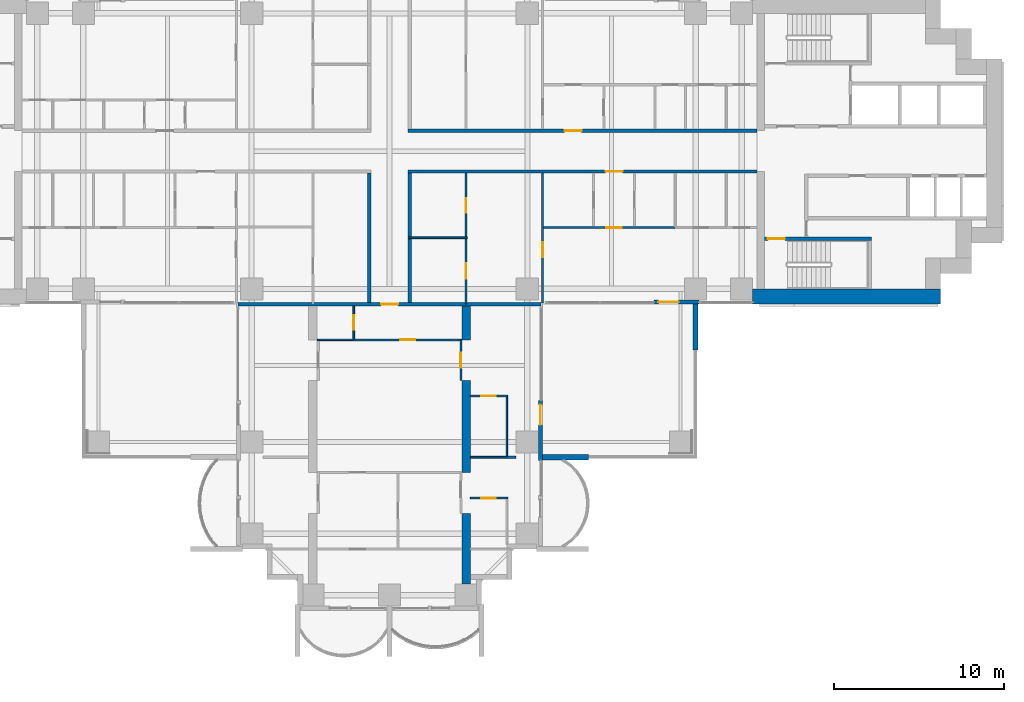
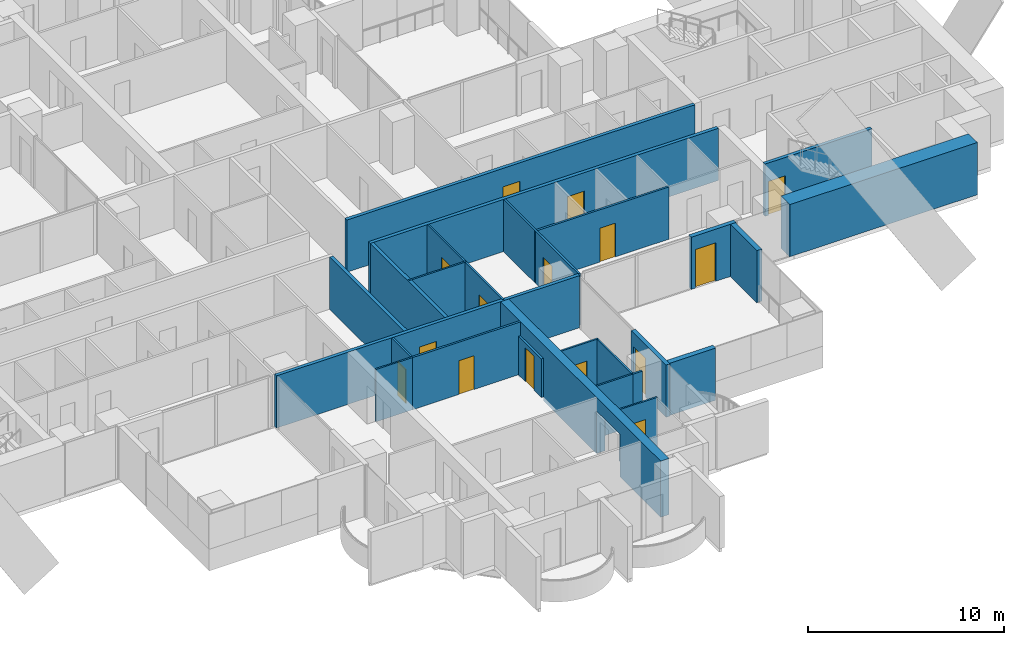
# One storey, part 13 of 22: 26 walls, 15 doors, 15 openings.
"""IFC4 building model written with IfcOpenShell, lengths in metres."""

from ifc_helpers import new_model, si_unit, direction, frame, frame_2d, origin, place, context, subcontext, project, spatial, polyline, rectangle, outline, extrude, material, layer, layer_set, material_profile, profile_set, type_object, element, fill, save


model = new_model("IFC4")

# Units and contexts
model_context = context("Model", 3, precision=1e-05, world=origin(), true_north=direction((0.0, 1.0)))
body_context = subcontext(model_context, "Body", "Model", "MODEL_VIEW")
ifc_project = project(units=[si_unit("LENGTHUNIT", "METRE"), si_unit("AREAUNIT", "SQUARE_METRE"), si_unit("VOLUMEUNIT", "CUBIC_METRE"), si_unit("PLANEANGLEUNIT", "RADIAN"), si_unit("MASSUNIT", "GRAM", prefix="KILO")], contexts=[model_context])

# Site, building, storey
site_placement = place(None, origin())
site = spatial("IfcSite", under=ifc_project, at=site_placement, CompositionType="ELEMENT")
building_placement = place(site_placement, origin())
building = spatial("IfcBuilding", under=site, at=building_placement, Name="Perihelion Cross Residences", CompositionType="ELEMENT")
storey_placement = place(building_placement, frame((0.0, 0.0, 50.5)))
storey = spatial("IfcBuildingStorey", under=building, at=storey_placement, Name="L09", CompositionType="ELEMENT", Elevation=50.5)

# Wall, opening, door
ifc_material_1 = material(Name="Plasterboard partition")
ifc_layer_1 = layer(ifc_material_1, 0.199951171875)
ifc_layer_set_1 = layer_set([ifc_layer_1], Name="Apartment separation wall 200")
wall_type_1 = type_object("IfcWallType", Name="Apartment separation wall 200", PredefinedType="PARTITIONING", material=ifc_layer_set_1)
wall_1_placement = place(storey_placement, frame((1.10009765625, 1.199951171875, 0.0), z_axis=(0.0, 0.0, 1.0), x_axis=(1.0, 0.0, 0.0)))
wall_1 = element("IfcWall", 1, at=wall_1_placement, inside=storey, type_object=wall_type_1, Name="Partition L09 W001", PredefinedType="PARTITIONING", context=body_context, shape_type="SweptSolid", body=[
    extrude(rectangle(XDim=20.5, YDim=0.199951171875, at=frame_2d((10.25, 0.0))), origin(), (0.0, 0.0, 1.0), 3.25),
])
opening_1_placement = place(wall_1_placement, frame((9.199951171875, 0.0, 0.0)))
opening_1 = element("IfcOpeningElement", 2, at=opening_1_placement, cuts=wall_1, Name="Opening L09.A47", PredefinedType="OPENING", context=body_context, shape_type="SweptSolid", body=[
    extrude(rectangle(XDim=1.0, YDim=2.10009765625, at=frame_2d((0.5, 1.050048828125))), frame((0.0, 0.10986328125, 0.0), z_axis=(0.0, -1.0, 0.0), x_axis=(1.0, 0.0, 0.0)), (0.0, 0.0, 1.0), 0.219970703125),
])
ifc_material_2 = material(Name="Timber door leaf", Category="wood")
door_type_1 = type_object("IfcDoorType", Name="Flat entrance door 1000 x 2100", OperationType="SINGLE_SWING_LEFT", PredefinedType="DOOR", material=ifc_material_2)
door_1_placement = place(opening_1_placement, origin())
door_1 = element("IfcDoor", 3, at=door_1_placement, inside=storey, type_object=door_type_1, Name="Door L09.A47", OperationType="SINGLE_SWING_LEFT", OverallHeight=2.10009765625, OverallWidth=1.0, PredefinedType="DOOR", context=body_context, shape_type="SweptSolid", body=[
    extrude(rectangle(XDim=1.0, YDim=2.10009765625, at=frame_2d((0.5, 1.050048828125))), frame((0.0, 0.02490234375, 0.0), z_axis=(0.0, -1.0, 0.0), x_axis=(1.0, 0.0, 0.0)), (0.0, 0.0, 1.0), 0.050048828125),
])
fill(opening_1, door_1)

wall_2_placement = place(storey_placement, frame((21.60009765625, -1.199951171875, 0.0), z_axis=(0.0, 0.0, 1.0), x_axis=(-1.0, 0.0, 0.0)))
wall_2 = element("IfcWall", 4, at=wall_2_placement, inside=storey, type_object=wall_type_1, Name="Partition L09 W003", PredefinedType="PARTITIONING", context=body_context, shape_type="SweptSolid", body=[
    extrude(rectangle(XDim=20.5, YDim=0.199951171875, at=frame_2d((10.25, 0.0))), origin(), (0.0, 0.0, 1.0), 3.25),
])
opening_2_placement = place(wall_2_placement, frame((7.89990234375, 0.0, 0.0)))
opening_2 = element("IfcOpeningElement", 5, at=opening_2_placement, cuts=wall_2, Name="Opening L09.A48", PredefinedType="OPENING", context=body_context, shape_type="SweptSolid", body=[
    extrude(rectangle(XDim=1.0, YDim=2.10009765625, at=frame_2d((0.5, 1.050048828125))), frame((0.0, 0.10986328125, 0.0), z_axis=(0.0, -1.0, 0.0), x_axis=(1.0, 0.0, 0.0)), (0.0, 0.0, 1.0), 0.219970703125),
])
door_2_placement = place(opening_2_placement, origin())
door_2 = element("IfcDoor", 6, at=door_2_placement, inside=storey, type_object=door_type_1, Name="Door L09.A48", OperationType="SINGLE_SWING_RIGHT", OverallHeight=2.10009765625, OverallWidth=1.0, PredefinedType="DOOR", context=body_context, shape_type="SweptSolid", body=[
    extrude(rectangle(XDim=1.0, YDim=2.10009765625, at=frame_2d((0.5, 1.050048828125))), frame((0.0, 0.02490234375, 0.0), z_axis=(0.0, -1.0, 0.0), x_axis=(1.0, 0.0, 0.0)), (0.0, 0.0, 1.0), 0.050048828125),
])
fill(opening_2, door_2)

# Walls
for number, where, z_axis, x_axis, name in (
    (7, (1.199951171875, -1.300048828125, 0.0), (0.0, 0.0, 1.0), (0.0, -1.0, 0.0), "Partition L09 W004"),
    (8, (-1.199951171875, -8.89990234375, 0.0), (0.0, 0.0, 1.0), (0.0, 1.0, 0.0), "Partition L09 W008"),
):
    element("IfcWall", number, at=place(storey_placement, frame(where, z_axis=z_axis, x_axis=x_axis)), inside=storey, type_object=wall_type_1, Name=name, PredefinedType="PARTITIONING", context=body_context, shape_type="SweptSolid", body=[
        extrude(rectangle(XDim=7.599853515625, YDim=0.199951171875, at=frame_2d((3.7998046875, 0.0))), origin(), (0.0, 0.0, 1.0), 3.25),
    ])

# Wall, opening, door
wall_3_placement = place(storey_placement, frame((8.919921875, -9.0, 0.0), z_axis=(0.0, 0.0, 1.0), x_axis=(-1.0, 0.0, 0.0)))
wall_3 = element("IfcWall", 9, at=wall_3_placement, inside=storey, type_object=wall_type_1, Name="Partition L09 W010", PredefinedType="PARTITIONING", context=body_context, shape_type="SweptSolid", body=[
    extrude(rectangle(XDim=17.83984375, YDim=0.199951171875, at=frame_2d((8.919921875, 0.0))), origin(), (0.0, 0.0, 1.0), 3.25),
])
opening_3_placement = place(wall_3_placement, frame((8.419921875, 0.0, 0.0)))
opening_3 = element("IfcOpeningElement", 10, at=opening_3_placement, cuts=wall_3, Name="Opening L09.A39", PredefinedType="OPENING", context=body_context, shape_type="SweptSolid", body=[
    extrude(rectangle(XDim=1.0, YDim=2.10009765625, at=frame_2d((0.5, 1.050048828125))), frame((0.0, 0.10986328125, 0.0), z_axis=(0.0, -1.0, 0.0), x_axis=(1.0, 0.0, 0.0)), (0.0, 0.0, 1.0), 0.219970703125),
])
door_3_placement = place(opening_3_placement, origin())
door_3 = element("IfcDoor", 11, at=door_3_placement, inside=storey, type_object=door_type_1, Name="Door L09.A39", OperationType="SINGLE_SWING_LEFT", OverallHeight=2.10009765625, OverallWidth=1.0, PredefinedType="DOOR", context=body_context, shape_type="SweptSolid", body=[
    extrude(rectangle(XDim=1.0, YDim=2.10009765625, at=frame_2d((0.5, 1.050048828125))), frame((0.0, 0.02490234375, 0.0), z_axis=(0.0, -1.0, 0.0), x_axis=(1.0, 0.0, 0.0)), (0.0, 0.0, 1.0), 0.050048828125),
])
fill(opening_3, door_3)

ifc_material_3 = material(Name="Concrete C30/37, bronze-clad", Category="concrete")
ifc_layer_2 = layer(ifc_material_3, 0.25)
ifc_layer_set_2 = layer_set([ifc_layer_2], Name="Bronze-clad pier wall 250")
wall_type_2 = type_object("IfcWallType", Name="Bronze-clad pier wall 250", PredefinedType="SOLIDWALL", material=ifc_layer_set_2)
wall_4_placement = place(storey_placement, frame((8.875, -18.199951171875, 0.0), z_axis=(0.0, 0.0, 1.0), x_axis=(0.0, 1.0, 0.0)))
wall_4 = element("IfcWall", 12, at=wall_4_placement, inside=storey, type_object=wall_type_2, Name="Wall FW1 L09 south side east bay 2 pier", PredefinedType="SOLIDWALL", context=body_context, shape_type="SweptSolid", body=[
    extrude(rectangle(XDim=3.550048828125, YDim=0.25, at=frame_2d((1.77490234375, 0.0))), origin(), (0.0, 0.0, 1.0), 3.25),
])
opening_4_placement = place(wall_4_placement, frame((2.10009765625, 0.0, 0.0)))
opening_4 = element("IfcOpeningElement", 13, at=opening_4_placement, cuts=wall_4, Name="Opening L09.E15", PredefinedType="OPENING", context=body_context, shape_type="SweptSolid", body=[
    extrude(rectangle(XDim=1.199951171875, YDim=2.39990234375, at=frame_2d((0.60009765625, 1.199951171875))), frame((0.0, 0.135009765625, 0.0), z_axis=(0.0, -1.0, 0.0), x_axis=(1.0, 0.0, 0.0)), (0.0, 0.0, 1.0), 0.27001953125),
])
ifc_material_4 = material(Name="Bronze anodised aluminium, glazed", Category="aluminium")
door_type_2 = type_object("IfcDoorType", Name="Balcony door 1200 x 2400", OperationType="NOTDEFINED", PredefinedType="DOOR", material=ifc_material_4)
door_4_placement = place(opening_4_placement, origin())
door_4 = element("IfcDoor", 14, at=door_4_placement, inside=storey, type_object=door_type_2, Name="Door L09.E15 south side east bay 2", OperationType="SINGLE_SWING_RIGHT", OverallHeight=2.39990234375, OverallWidth=1.199951171875, PredefinedType="DOOR", context=body_context, shape_type="SweptSolid", body=[
    extrude(rectangle(XDim=1.199951171875, YDim=2.39990234375, at=frame_2d((0.60009765625, 1.199951171875))), frame((0.0, 0.02490234375, 0.0), z_axis=(0.0, -1.0, 0.0), x_axis=(1.0, 0.0, 0.0)), (0.0, 0.0, 1.0), 0.050048828125),
])
fill(opening_4, door_4)

wall_5_placement = place(storey_placement, frame((15.550048828125, -8.875, 0.0), z_axis=(0.0, 0.0, 1.0), x_axis=(1.0, 0.0, 0.0)))
wall_5 = element("IfcWall", 15, at=wall_5_placement, inside=storey, type_object=wall_type_2, Name="Wall FW1 L09 east side south bay 1 pier", PredefinedType="SOLIDWALL", context=body_context, shape_type="SweptSolid", body=[
    extrude(rectangle(XDim=2.64990234375, YDim=0.25, at=frame_2d((1.324951171875, 0.0))), origin(), (0.0, 0.0, 1.0), 3.25),
])
opening_5_placement = place(wall_5_placement, frame((0.25, 0.0, 0.0)))
opening_5 = element("IfcOpeningElement", 16, at=opening_5_placement, cuts=wall_5, Name="Opening L09.E16", PredefinedType="OPENING", context=body_context, shape_type="SweptSolid", body=[
    extrude(rectangle(XDim=1.199951171875, YDim=2.39990234375, at=frame_2d((0.60009765625, 1.199951171875))), frame((0.0, 0.135009765625, 0.0), z_axis=(0.0, -1.0, 0.0), x_axis=(1.0, 0.0, 0.0)), (0.0, 0.0, 1.0), 0.27001953125),
])
door_5_placement = place(opening_5_placement, origin())
door_5 = element("IfcDoor", 17, at=door_5_placement, inside=storey, type_object=door_type_2, Name="Door L09.E16 east side south bay 1", OperationType="SINGLE_SWING_LEFT", OverallHeight=2.39990234375, OverallWidth=1.199951171875, PredefinedType="DOOR", context=body_context, shape_type="SweptSolid", body=[
    extrude(rectangle(XDim=1.199951171875, YDim=2.39990234375, at=frame_2d((0.60009765625, 1.199951171875))), frame((0.0, 0.02490234375, 0.0), z_axis=(0.0, -1.0, 0.0), x_axis=(1.0, 0.0, 0.0)), (0.0, 0.0, 1.0), 0.050048828125),
])
fill(opening_5, door_5)

# Wall
ifc_material_5 = material(Name="Concrete C60/75", Category="concrete")
ifc_layer_3 = layer(ifc_material_5, 0.89990234375)
ifc_layer_set_3 = layer_set([ifc_layer_3], Name="Core wall, outer 900")
wall_type_3 = type_object("IfcWallType", Name="Core wall, outer 900", PredefinedType="SHEAR", material=ifc_layer_set_3)
wall_6_placement = place(storey_placement, frame((21.35009765625, -8.550048828125, 0.0), z_axis=(0.0, 0.0, 1.0), x_axis=(1.0, 0.0, 0.0)))
element("IfcWall", 18, at=wall_6_placement, inside=storey, type_object=wall_type_3, Name="East core core wall, outer", PredefinedType="SHEAR", context=body_context, shape_type="SweptSolid", body=[
    extrude(rectangle(XDim=11.0498046875, YDim=0.89990234375, at=frame_2d((5.52490234375, 0.0))), origin(), (0.0, 0.0, 1.0), 3.25),
])

# Wall, opening, door
ifc_material_6 = material(Name="Plasterboard partition")
ifc_layer_4 = layer(ifc_material_6, 0.1201171875)
ifc_layer_set_4 = layer_set([ifc_layer_4], Name="Infill panel 120")
wall_type_4 = type_object("IfcWallType", Name="Infill panel 120", PredefinedType="PARTITIONING", material=ifc_layer_set_4)
wall_7_placement = place(storey_placement, frame((4.18994140625, -11.10009765625, 0.0), z_axis=(0.0, 0.0, 1.0), x_axis=(0.0, -1.0, 0.0)))
wall_7 = element("IfcWall", 19, at=wall_7_placement, inside=storey, type_object=wall_type_4, Name="Partition L09 WI05", PredefinedType="PARTITIONING", context=body_context, shape_type="SweptSolid", body=[
    extrude(rectangle(XDim=2.39990234375, YDim=0.1201171875, at=frame_2d((1.199951171875, 0.0))), origin(), (0.0, 0.0, 1.0), 2.39990234375),
])
opening_6_placement = place(wall_7_placement, frame((0.75, 0.0, 0.0)))
opening_6 = element("IfcOpeningElement", 20, at=opening_6_placement, cuts=wall_7, Name="Opening L09.A55", PredefinedType="OPENING", context=body_context, shape_type="SweptSolid", body=[
    extrude(rectangle(XDim=0.89990234375, YDim=2.10009765625, at=frame_2d((0.449951171875, 1.050048828125))), frame((0.0, 0.070068359375, 0.0), z_axis=(0.0, -1.0, 0.0), x_axis=(1.0, 0.0, 0.0)), (0.0, 0.0, 1.0), 0.14013671875),
])
ifc_material_7 = material(Name="Timber door leaf", Category="wood")
door_type_3 = type_object("IfcDoorType", Name="Interior room door 900 x 2100", OperationType="SINGLE_SWING_LEFT", PredefinedType="DOOR", material=ifc_material_7)
door_6_placement = place(opening_6_placement, origin())
door_6 = element("IfcDoor", 21, at=door_6_placement, inside=storey, type_object=door_type_3, Name="Door L09.A55", OperationType="SINGLE_SWING_RIGHT", OverallHeight=2.10009765625, OverallWidth=0.89990234375, PredefinedType="DOOR", context=body_context, shape_type="SweptSolid", body=[
    extrude(rectangle(XDim=0.89990234375, YDim=2.10009765625, at=frame_2d((0.449951171875, 1.050048828125))), frame((0.0, 0.02490234375, 0.0), z_axis=(0.0, -1.0, 0.0), x_axis=(1.0, 0.0, 0.0)), (0.0, 0.0, 1.0), 0.050048828125),
])
fill(opening_6, door_6)

ifc_material_8 = material(Name="Plasterboard partition")
ifc_layer_5 = layer(ifc_material_8, 0.1201171875)
ifc_layer_set_5 = layer_set([ifc_layer_5], Name="Partition wall 120")
wall_type_5 = type_object("IfcWallType", Name="Partition wall 120", PredefinedType="PARTITIONING", material=ifc_layer_set_5)
wall_8_placement = place(storey_placement, frame((16.800048828125, -4.5, 0.0), z_axis=(0.0, 0.0, 1.0), x_axis=(-1.0, 0.0, 0.0)))
wall_8 = element("IfcWall", 22, at=wall_8_placement, inside=storey, type_object=wall_type_5, Name="Partition L09 W021", PredefinedType="PARTITIONING", context=body_context, shape_type="SweptSolid", body=[
    extrude(rectangle(XDim=7.860107421875, YDim=0.1201171875, at=frame_2d((3.93017578125, 0.0))), origin(), (0.0, 0.0, 1.0), 3.25),
])
opening_7_placement = place(wall_8_placement, frame((3.14990234375, 0.0, 0.0)))
opening_7 = element("IfcOpeningElement", 23, at=opening_7_placement, cuts=wall_8, Name="Opening L09.A14", PredefinedType="OPENING", context=body_context, shape_type="SweptSolid", body=[
    extrude(rectangle(XDim=0.89990234375, YDim=2.10009765625, at=frame_2d((0.449951171875, 1.050048828125))), frame((0.0, 0.070068359375, 0.0), z_axis=(0.0, -1.0, 0.0), x_axis=(1.0, 0.0, 0.0)), (0.0, 0.0, 1.0), 0.14013671875),
])
door_7_placement = place(opening_7_placement, origin())
door_7 = element("IfcDoor", 24, at=door_7_placement, inside=storey, type_object=door_type_3, Name="Door L09.A14", OperationType="SINGLE_SWING_RIGHT", OverallHeight=2.10009765625, OverallWidth=0.89990234375, PredefinedType="DOOR", context=body_context, shape_type="SweptSolid", body=[
    extrude(rectangle(XDim=0.89990234375, YDim=2.10009765625, at=frame_2d((0.449951171875, 1.050048828125))), frame((0.0, 0.02490234375, 0.0), z_axis=(0.0, -1.0, 0.0), x_axis=(1.0, 0.0, 0.0)), (0.0, 0.0, 1.0), 0.050048828125),
])
fill(opening_7, door_7)

wall_9_placement = place(storey_placement, frame((9.0, -8.919921875, 0.0), z_axis=(0.0, 0.0, 1.0), x_axis=(0.0, 1.0, 0.0)))
wall_9 = element("IfcWall", 25, at=wall_9_placement, inside=storey, type_object=wall_type_5, Name="Partition L09 W022", PredefinedType="PARTITIONING", context=body_context, shape_type="SweptSolid", body=[
    extrude(rectangle(XDim=7.619873046875, YDim=0.1201171875, at=frame_2d((3.81005859375, 0.0))), origin(), (0.0, 0.0, 1.0), 3.25),
])
opening_8_placement = place(wall_9_placement, frame((2.669921875, 0.0, 0.0)))
opening_8 = element("IfcOpeningElement", 26, at=opening_8_placement, cuts=wall_9, Name="Opening L09.A10", PredefinedType="OPENING", context=body_context, shape_type="SweptSolid", body=[
    extrude(rectangle(XDim=0.89990234375, YDim=2.10009765625, at=frame_2d((0.449951171875, 1.050048828125))), frame((0.0, 0.070068359375, 0.0), z_axis=(0.0, -1.0, 0.0), x_axis=(1.0, 0.0, 0.0)), (0.0, 0.0, 1.0), 0.14013671875),
])
door_8_placement = place(opening_8_placement, origin())
door_8 = element("IfcDoor", 27, at=door_8_placement, inside=storey, type_object=door_type_3, Name="Door L09.A10", OperationType="SINGLE_SWING_RIGHT", OverallHeight=2.10009765625, OverallWidth=0.89990234375, PredefinedType="DOOR", context=body_context, shape_type="SweptSolid", body=[
    extrude(rectangle(XDim=0.89990234375, YDim=2.10009765625, at=frame_2d((0.449951171875, 1.050048828125))), frame((0.0, 0.02490234375, 0.0), z_axis=(0.0, -1.0, 0.0), x_axis=(1.0, 0.0, 0.0)), (0.0, 0.0, 1.0), 0.050048828125),
])
fill(opening_8, door_8)

wall_10_placement = place(storey_placement, frame((4.5, -9.0, 0.0), z_axis=(0.0, 0.0, 1.0), x_axis=(0.0, 1.0, 0.0)))
wall_10 = element("IfcWall", 28, at=wall_10_placement, inside=storey, type_object=wall_type_5, Name="Partition L09 W029", PredefinedType="PARTITIONING", context=body_context, shape_type="SweptSolid", body=[
    extrude(rectangle(XDim=3.89990234375, YDim=0.1201171875, at=frame_2d((1.949951171875, 0.0))), origin(), (0.0, 0.0, 1.0), 3.25),
])
opening_9_placement = place(wall_10_placement, frame((1.5, 0.0, 0.0)))
opening_9 = element("IfcOpeningElement", 29, at=opening_9_placement, cuts=wall_10, Name="Opening L09.A12", PredefinedType="OPENING", context=body_context, shape_type="SweptSolid", body=[
    extrude(rectangle(XDim=0.89990234375, YDim=2.10009765625, at=frame_2d((0.449951171875, 1.050048828125))), frame((0.0, 0.070068359375, 0.0), z_axis=(0.0, -1.0, 0.0), x_axis=(1.0, 0.0, 0.0)), (0.0, 0.0, 1.0), 0.14013671875),
])
door_9_placement = place(opening_9_placement, origin())
door_9 = element("IfcDoor", 30, at=door_9_placement, inside=storey, type_object=door_type_3, Name="Door L09.A12", OperationType="SINGLE_SWING_LEFT", OverallHeight=2.10009765625, OverallWidth=0.89990234375, PredefinedType="DOOR", context=body_context, shape_type="SweptSolid", body=[
    extrude(rectangle(XDim=0.89990234375, YDim=2.10009765625, at=frame_2d((0.449951171875, 1.050048828125))), frame((0.0, 0.02490234375, 0.0), z_axis=(0.0, -1.0, 0.0), x_axis=(1.0, 0.0, 0.0)), (0.0, 0.0, 1.0), 0.050048828125),
])
fill(opening_9, door_9)

wall_11_placement = place(storey_placement, frame((4.25, -11.10009765625, 0.0), z_axis=(0.0, 0.0, 1.0), x_axis=(-1.0, 0.0, 0.0)))
wall_11 = element("IfcWall", 31, at=wall_11_placement, inside=storey, type_object=wall_type_5, Name="Partition L09 W067", PredefinedType="PARTITIONING", context=body_context, shape_type="SweptSolid", body=[
    extrude(rectangle(XDim=6.35009765625, YDim=0.1201171875, at=frame_2d((3.175048828125, 0.0))), origin(), (0.0, 0.0, 1.0), 3.25),
])
opening_10_placement = place(wall_11_placement, frame((2.72509765625, 0.0, 0.0)))
opening_10 = element("IfcOpeningElement", 32, at=opening_10_placement, cuts=wall_11, Name="Opening L09.A41", PredefinedType="OPENING", context=body_context, shape_type="SweptSolid", body=[
    extrude(rectangle(XDim=0.89990234375, YDim=2.10009765625, at=frame_2d((0.449951171875, 1.050048828125))), frame((0.0, 0.070068359375, 0.0), z_axis=(0.0, -1.0, 0.0), x_axis=(1.0, 0.0, 0.0)), (0.0, 0.0, 1.0), 0.14013671875),
])
door_10_placement = place(opening_10_placement, origin())
door_10 = element("IfcDoor", 33, at=door_10_placement, inside=storey, type_object=door_type_3, Name="Door L09.A41", OperationType="SINGLE_SWING_RIGHT", OverallHeight=2.10009765625, OverallWidth=0.89990234375, PredefinedType="DOOR", context=body_context, shape_type="SweptSolid", body=[
    extrude(rectangle(XDim=0.89990234375, YDim=2.10009765625, at=frame_2d((0.449951171875, 1.050048828125))), frame((0.0, 0.02490234375, 0.0), z_axis=(0.0, -1.0, 0.0), x_axis=(1.0, 0.0, 0.0)), (0.0, 0.0, 1.0), 0.050048828125),
])
fill(opening_10, door_10)

# Walls
wall_12_placement = place(storey_placement, frame((7.449951171875, -18.0, 0.0), z_axis=(0.0, 0.0, 1.0), x_axis=(-1.0, 0.0, 0.0)))
element("IfcWall", 34, at=wall_12_placement, inside=storey, type_object=wall_type_5, Name="Partition L09 W074", PredefinedType="PARTITIONING", context=body_context, shape_type="SweptSolid", body=[
    extrude(rectangle(XDim=0.550048828125, YDim=0.1201171875, at=frame_2d((0.27490234375, 0.0))), origin(), (0.0, 0.0, 1.0), 3.25),
])
ifc_material_9 = material(Name="Precast concrete C50/60", Category="concrete")
ifc_layer_6 = layer(ifc_material_9, 0.300048828125)
ifc_layer_set_6 = layer_set([ifc_layer_6], Name="Precast concrete C50/60 blade wall 300")
wall_type_6 = type_object("IfcWallType", Name="Precast concrete C50/60 blade wall 300", PredefinedType="SOLIDWALL", material=ifc_layer_set_6)
wall_13_placement = place(storey_placement, frame((9.0, -18.0, 0.0), z_axis=(0.0, 0.0, 1.0), x_axis=(1.0, 0.0, 0.0)))
element("IfcWall", 35, at=wall_13_placement, inside=storey, type_object=wall_type_6, Name="Wall BL1 L09 no. 15", PredefinedType="SOLIDWALL", context=body_context, shape_type="SweptSolid", body=[
    extrude(rectangle(XDim=2.699951171875, YDim=0.300048828125, at=frame_2d((1.35009765625, 0.0))), origin(), (0.0, 0.0, 1.0), 3.25),
])
wall_14_placement = place(storey_placement, frame((18.0, -8.75, 0.0), z_axis=(0.0, 0.0, 1.0), x_axis=(0.0, -1.0, 0.0)))
element("IfcWall", 36, at=wall_14_placement, inside=storey, type_object=wall_type_6, Name="Wall BL1 L09 no. 11", PredefinedType="SOLIDWALL", context=body_context, shape_type="SweptSolid", body=[
    extrude(rectangle(XDim=2.949951171875, YDim=0.300048828125, at=frame_2d((1.47509765625, 0.0))), origin(), (0.0, 0.0, 1.0), 3.25),
])

# Wall, opening, door
ifc_material_10 = material(Name="Concrete C50/60", Category="concrete")
ifc_layer_7 = layer(ifc_material_10, 0.199951171875)
ifc_layer_set_7 = layer_set([ifc_layer_7], Name="Stair wall 200")
wall_type_7 = type_object("IfcWallType", Name="Stair wall 200", PredefinedType="SOLIDWALL", material=ifc_layer_set_7)
wall_15_placement = place(storey_placement, frame((22.050048828125, -5.14990234375, 0.0), z_axis=(0.0, 0.0, 1.0), x_axis=(1.0, 0.0, 0.0)))
wall_15 = element("IfcWall", 37, at=wall_15_placement, inside=storey, type_object=wall_type_7, Name="East core stair wall", PredefinedType="SOLIDWALL", context=body_context, shape_type="SweptSolid", body=[
    extrude(rectangle(XDim=6.300048828125, YDim=0.199951171875, at=frame_2d((3.14990234375, 0.0))), origin(), (0.0, 0.0, 1.0), 3.25),
])
opening_11_placement = place(wall_15_placement, frame((0.199951171875, 0.0, 0.0)))
opening_11 = element("IfcOpeningElement", 38, at=opening_11_placement, cuts=wall_15, Name="Opening L09.C05", PredefinedType="OPENING", context=body_context, shape_type="SweptSolid", body=[
    extrude(rectangle(XDim=1.0, YDim=2.10009765625, at=frame_2d((0.5, 1.050048828125))), frame((0.0, 0.10986328125, 0.0), z_axis=(0.0, -1.0, 0.0), x_axis=(1.0, 0.0, 0.0)), (0.0, 0.0, 1.0), 0.219970703125),
])
ifc_material_11 = material(Name="Steel, powder coated", Category="steel")
door_type_4 = type_object("IfcDoorType", Name="Stair door 1000", OperationType="SINGLE_SWING_LEFT", PredefinedType="DOOR", material=ifc_material_11)
door_11_placement = place(opening_11_placement, origin())
door_11 = element("IfcDoor", 39, at=door_11_placement, inside=storey, type_object=door_type_4, Name="East core stair door", OperationType="SINGLE_SWING_LEFT", OverallHeight=2.10009765625, OverallWidth=1.0, PredefinedType="DOOR", context=body_context, shape_type="SweptSolid", body=[
    extrude(rectangle(XDim=1.0, YDim=2.10009765625, at=frame_2d((0.5, 1.050048828125))), frame((0.0, 0.02490234375, 0.0), z_axis=(0.0, -1.0, 0.0), x_axis=(1.0, 0.0, 0.0)), (0.0, 0.0, 1.0), 0.050048828125),
])
fill(opening_11, door_11)

# Wall
ifc_material_12 = material(Name="Concrete C60/75", Category="concrete")
ifc_material_profile = material_profile(ifc_material_12, outline(polyline([(0.0, 0.0), (4.14990234375, 0.0), (4.14990234375, 2.64990234375), (6.550048828125, 2.64990234375), (6.550048828125, 0.0), (11.949951171875, 0.0), (11.949951171875, 2.64990234375), (14.35009765625, 2.64990234375), (14.35009765625, 0.0), (16.449951171875, 0.0), (16.449951171875, 3.5), (0.0, 3.5), (0.0, 0.0)])), Name="Tip spine wall")
ifc_profile_set = profile_set([ifc_material_profile], Name="Concrete C60/75")
wall_type_8 = type_object("IfcWallType", Name="Tip spine wall 500 with 2 door openings 16450 long 3500 high concrete C60/75 hand A", PredefinedType="SHEAR", material=ifc_profile_set)
wall_16_placement = place(storey_placement, frame((4.25, -25.449951171875, -0.25), z_axis=(1.0, 0.0, 0.0), x_axis=(0.0, 1.0, 0.0)))
element("IfcWall", 40, at=wall_16_placement, inside=storey, type_object=wall_type_8, Name="Shear wall SW24 L09 south east", PredefinedType="SHEAR", context=body_context, shape_type="SweptSolid", body=[
    extrude(outline(polyline([(0.0, 0.0), (4.14990234375, 0.0), (4.14990234375, 2.64990234375), (6.550048828125, 2.64990234375), (6.550048828125, 0.0), (11.949951171875, 0.0), (11.949951171875, 2.64990234375), (14.35009765625, 2.64990234375), (14.35009765625, 0.0), (16.449951171875, 0.0), (16.449951171875, 3.5), (0.0, 3.5), (0.0, 0.0)])), origin(), (0.0, 0.0, 1.0), 0.5),
])

# Wall, opening, door
ifc_material_13 = material(Name="Plasterboard partition")
ifc_layer_8 = layer(ifc_material_13, 0.10009765625)
ifc_layer_set_8 = layer_set([ifc_layer_8], Name="Wet room wall 100")
wall_type_9 = type_object("IfcWallType", Name="Wet room wall 100", PredefinedType="PARTITIONING", material=ifc_layer_set_8)
wall_17_placement = place(storey_placement, frame((4.5, -5.10009765625, 0.0), z_axis=(0.0, 0.0, 1.0), x_axis=(0.0, 1.0, 0.0)))
wall_17 = element("IfcWall", 41, at=wall_17_placement, inside=storey, type_object=wall_type_9, Name="Partition L09 W028", PredefinedType="PARTITIONING", context=body_context, shape_type="SweptSolid", body=[
    extrude(rectangle(XDim=3.800048828125, YDim=0.10009765625, at=frame_2d((1.89990234375, 0.0))), origin(), (0.0, 0.0, 1.0), 3.25),
])
opening_12_placement = place(wall_17_placement, frame((1.47509765625, 0.0, 0.0)))
opening_12 = element("IfcOpeningElement", 42, at=opening_12_placement, cuts=wall_17, Name="Opening L09.A09", PredefinedType="OPENING", context=body_context, shape_type="SweptSolid", body=[
    extrude(rectangle(XDim=0.85009765625, YDim=2.10009765625, at=frame_2d((0.425048828125, 1.050048828125))), frame((0.0, 0.06005859375, 0.0), z_axis=(0.0, -1.0, 0.0), x_axis=(1.0, 0.0, 0.0)), (0.0, 0.0, 1.0), 0.1201171875),
])
ifc_material_14 = material(Name="Timber door leaf", Category="wood")
door_type_5 = type_object("IfcDoorType", Name="Interior bathroom door 850 x 2100", OperationType="SINGLE_SWING_LEFT", PredefinedType="DOOR", material=ifc_material_14)
door_12_placement = place(opening_12_placement, origin())
door_12 = element("IfcDoor", 43, at=door_12_placement, inside=storey, type_object=door_type_5, Name="Door L09.A09", OperationType="SINGLE_SWING_RIGHT", OverallHeight=2.10009765625, OverallWidth=0.85009765625, PredefinedType="DOOR", context=body_context, shape_type="SweptSolid", body=[
    extrude(rectangle(XDim=0.85009765625, YDim=2.10009765625, at=frame_2d((0.425048828125, 1.050048828125))), frame((0.0, 0.02490234375, 0.0), z_axis=(0.0, -1.0, 0.0), x_axis=(1.0, 0.0, 0.0)), (0.0, 0.0, 1.0), 0.050048828125),
])
fill(opening_12, door_12)

# Wall
wall_18_placement = place(storey_placement, frame((4.56005859375, -5.10009765625, 0.0), z_axis=(0.0, 0.0, 1.0), x_axis=(-1.0, 0.0, 0.0)))
element("IfcWall", 44, at=wall_18_placement, inside=storey, type_object=wall_type_9, Name="Partition L09 W030", PredefinedType="PARTITIONING", context=body_context, shape_type="SweptSolid", body=[
    extrude(rectangle(XDim=3.4599609375, YDim=0.10009765625, at=frame_2d((1.72998046875, 0.0))), origin(), (0.0, 0.0, 1.0), 3.25),
])

# Wall, opening, door
wall_19_placement = place(storey_placement, frame((-2.10009765625, -11.0400390625, 0.0), z_axis=(0.0, 0.0, 1.0), x_axis=(0.0, 1.0, 0.0)))
wall_19 = element("IfcWall", 45, at=wall_19_placement, inside=storey, type_object=wall_type_9, Name="Partition L09 W066", PredefinedType="PARTITIONING", context=body_context, shape_type="SweptSolid", body=[
    extrude(rectangle(XDim=1.93994140625, YDim=0.10009765625, at=frame_2d((0.969970703125, 0.0))), origin(), (0.0, 0.0, 1.0), 3.25),
])
opening_13_placement = place(wall_19_placement, frame((0.544921875, 0.0, 0.0)))
opening_13 = element("IfcOpeningElement", 46, at=opening_13_placement, cuts=wall_19, Name="Opening L09.A40", PredefinedType="OPENING", context=body_context, shape_type="SweptSolid", body=[
    extrude(rectangle(XDim=0.85009765625, YDim=2.10009765625, at=frame_2d((0.425048828125, 1.050048828125))), frame((0.0, 0.06005859375, 0.0), z_axis=(0.0, -1.0, 0.0), x_axis=(1.0, 0.0, 0.0)), (0.0, 0.0, 1.0), 0.1201171875),
])
door_13_placement = place(opening_13_placement, origin())
door_13 = element("IfcDoor", 47, at=door_13_placement, inside=storey, type_object=door_type_5, Name="Door L09.A40", OperationType="SINGLE_SWING_RIGHT", OverallHeight=2.10009765625, OverallWidth=0.85009765625, PredefinedType="DOOR", context=body_context, shape_type="SweptSolid", body=[
    extrude(rectangle(XDim=0.85009765625, YDim=2.10009765625, at=frame_2d((0.425048828125, 1.050048828125))), frame((0.0, 0.02490234375, 0.0), z_axis=(0.0, -1.0, 0.0), x_axis=(1.0, 0.0, 0.0)), (0.0, 0.0, 1.0), 0.050048828125),
])
fill(opening_13, door_13)

# Walls
wall_20_placement = place(storey_placement, frame((-2.10009765625, -11.10009765625, 0.0), z_axis=(0.0, 0.0, 1.0), x_axis=(-1.0, 0.0, 0.0)))
element("IfcWall", 48, at=wall_20_placement, inside=storey, type_object=wall_type_9, Name="Partition L09 W068", PredefinedType="PARTITIONING", context=body_context, shape_type="SweptSolid", body=[
    extrude(rectangle(XDim=2.14990234375, YDim=0.10009765625, at=frame_2d((1.074951171875, 0.0))), origin(), (0.0, 0.0, 1.0), 3.25),
])
wall_21_placement = place(storey_placement, frame((6.89990234375, -17.93994140625, 0.0), z_axis=(0.0, 0.0, 1.0), x_axis=(0.0, 1.0, 0.0)))
element("IfcWall", 49, at=wall_21_placement, inside=storey, type_object=wall_type_9, Name="Partition L09 W072", PredefinedType="PARTITIONING", context=body_context, shape_type="SweptSolid", body=[
    extrude(rectangle(XDim=3.489990234375, YDim=0.10009765625, at=frame_2d((1.7451171875, 0.0))), origin(), (0.0, 0.0, 1.0), 3.25),
])

# Wall, opening, door
wall_22_placement = place(storey_placement, frame((6.949951171875, -14.39990234375, 0.0), z_axis=(0.0, 0.0, 1.0), x_axis=(-1.0, 0.0, 0.0)))
wall_22 = element("IfcWall", 50, at=wall_22_placement, inside=storey, type_object=wall_type_9, Name="Partition L09 W073", PredefinedType="PARTITIONING", context=body_context, shape_type="SweptSolid", body=[
    extrude(rectangle(XDim=2.199951171875, YDim=0.10009765625, at=frame_2d((1.10009765625, 0.0))), origin(), (0.0, 0.0, 1.0), 3.25),
])
opening_14_placement = place(wall_22_placement, frame((0.699951171875, 0.0, 0.0)))
opening_14 = element("IfcOpeningElement", 51, at=opening_14_placement, cuts=wall_22, Name="Opening L09.A45", PredefinedType="OPENING", context=body_context, shape_type="SweptSolid", body=[
    extrude(rectangle(XDim=0.85009765625, YDim=2.10009765625, at=frame_2d((0.425048828125, 1.050048828125))), frame((0.0, 0.06005859375, 0.0), z_axis=(0.0, -1.0, 0.0), x_axis=(1.0, 0.0, 0.0)), (0.0, 0.0, 1.0), 0.1201171875),
])
door_14_placement = place(opening_14_placement, origin())
door_14 = element("IfcDoor", 52, at=door_14_placement, inside=storey, type_object=door_type_5, Name="Door L09.A45", OperationType="SINGLE_SWING_LEFT", OverallHeight=2.10009765625, OverallWidth=0.85009765625, PredefinedType="DOOR", context=body_context, shape_type="SweptSolid", body=[
    extrude(rectangle(XDim=0.85009765625, YDim=2.10009765625, at=frame_2d((0.425048828125, 1.050048828125))), frame((0.0, 0.02490234375, 0.0), z_axis=(0.0, -1.0, 0.0), x_axis=(1.0, 0.0, 0.0)), (0.0, 0.0, 1.0), 0.050048828125),
])
fill(opening_14, door_14)

# Wall
wall_23_placement = place(storey_placement, frame((6.89990234375, -18.0, 0.0), z_axis=(0.0, 0.0, 1.0), x_axis=(-1.0, 0.0, 0.0)))
element("IfcWall", 53, at=wall_23_placement, inside=storey, type_object=wall_type_9, Name="Partition L09 W075", PredefinedType="PARTITIONING", context=body_context, shape_type="SweptSolid", body=[
    extrude(rectangle(XDim=2.14990234375, YDim=0.10009765625, at=frame_2d((1.074951171875, 0.0))), origin(), (0.0, 0.0, 1.0), 3.25),
])

# Wall, opening, door
wall_24_placement = place(storey_placement, frame((6.949951171875, -20.39990234375, 0.0), z_axis=(0.0, 0.0, 1.0), x_axis=(-1.0, 0.0, 0.0)))
wall_24 = element("IfcWall", 54, at=wall_24_placement, inside=storey, type_object=wall_type_9, Name="Partition L09 W077", PredefinedType="PARTITIONING", context=body_context, shape_type="SweptSolid", body=[
    extrude(rectangle(XDim=2.199951171875, YDim=0.10009765625, at=frame_2d((1.10009765625, 0.0))), origin(), (0.0, 0.0, 1.0), 3.25),
])
opening_15_placement = place(wall_24_placement, frame((0.699951171875, 0.0, 0.0)))
opening_15 = element("IfcOpeningElement", 55, at=opening_15_placement, cuts=wall_24, Name="Opening L09.A46", PredefinedType="OPENING", context=body_context, shape_type="SweptSolid", body=[
    extrude(rectangle(XDim=0.85009765625, YDim=2.10009765625, at=frame_2d((0.425048828125, 1.050048828125))), frame((0.0, 0.06005859375, 0.0), z_axis=(0.0, -1.0, 0.0), x_axis=(1.0, 0.0, 0.0)), (0.0, 0.0, 1.0), 0.1201171875),
])
door_15_placement = place(opening_15_placement, origin())
door_15 = element("IfcDoor", 56, at=door_15_placement, inside=storey, type_object=door_type_5, Name="Door L09.A46", OperationType="SINGLE_SWING_RIGHT", OverallHeight=2.10009765625, OverallWidth=0.85009765625, PredefinedType="DOOR", context=body_context, shape_type="SweptSolid", body=[
    extrude(rectangle(XDim=0.85009765625, YDim=2.10009765625, at=frame_2d((0.425048828125, 1.050048828125))), frame((0.0, 0.02490234375, 0.0), z_axis=(0.0, -1.0, 0.0), x_axis=(1.0, 0.0, 0.0)), (0.0, 0.0, 1.0), 0.050048828125),
])
fill(opening_15, door_15)

save(model, "model.ifc")
